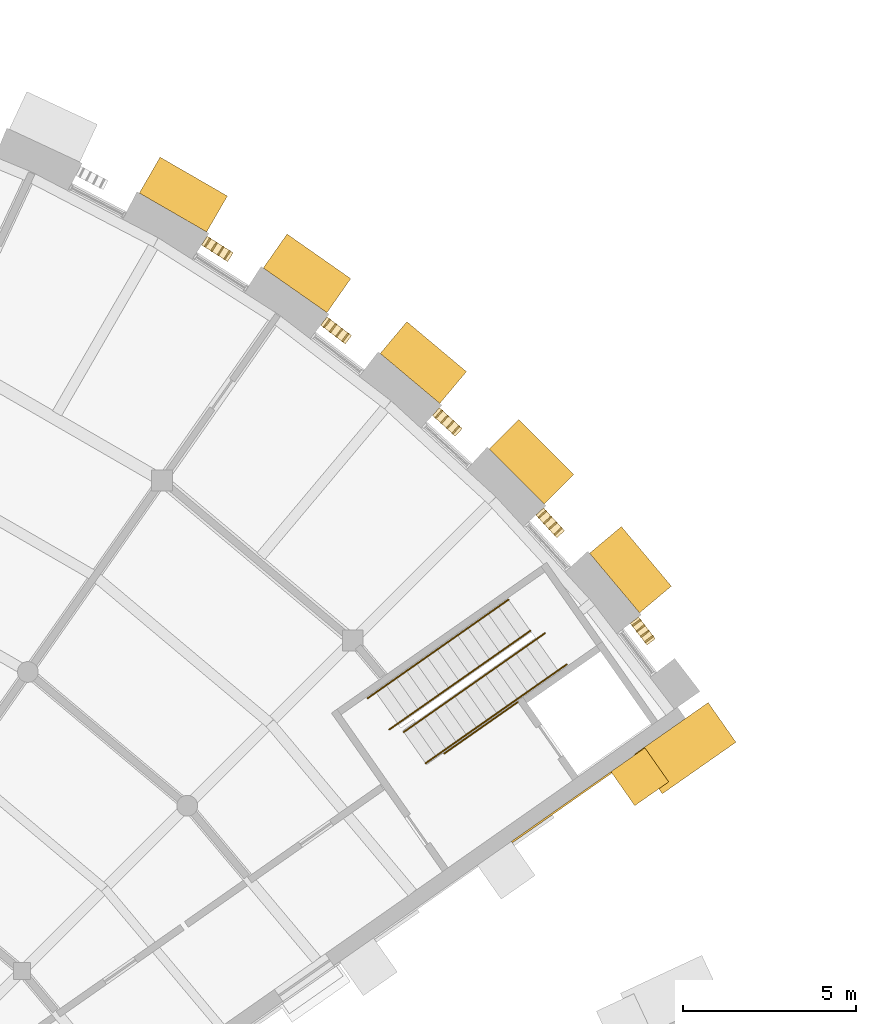
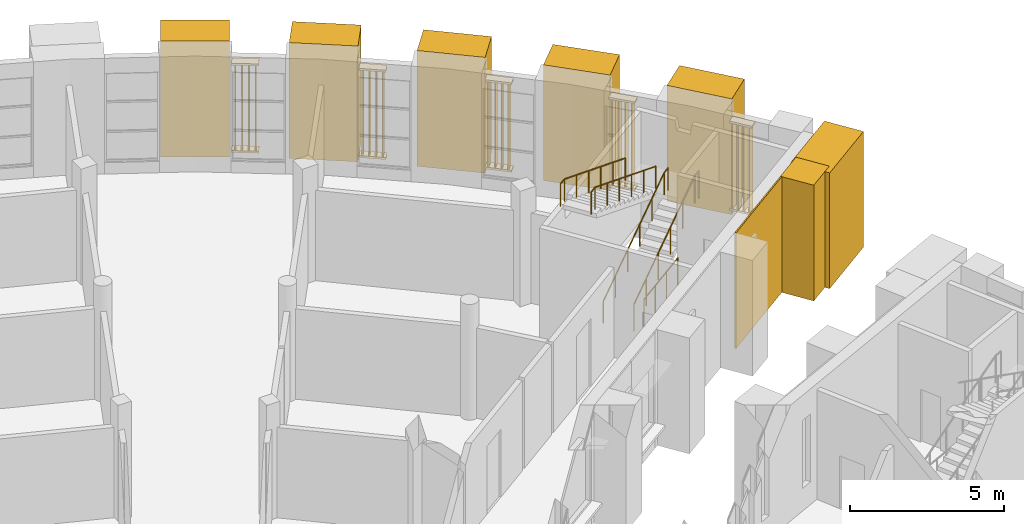
# One storey, part 64 of 66: 38 coverings, 5 railings.
"""IFC4 building model written with IfcOpenShell, lengths in metres."""

from ifc_helpers import new_model, si_unit, direction, frame, origin, origin_2d, place, context, subcontext, project, spatial, polyline, rectangle, circle, outline, extrude, material, layer, layer_set, type_object, element, save


model = new_model("IFC4")

# Units and contexts
model_context = context("Model", 3, precision=1e-05, world=origin(), true_north=direction((0.0, 1.0)))
body_context = subcontext(model_context, "Body", "Model", "MODEL_VIEW")
ifc_project = project(units=[si_unit("LENGTHUNIT", "METRE"), si_unit("AREAUNIT", "SQUARE_METRE"), si_unit("VOLUMEUNIT", "CUBIC_METRE"), si_unit("PLANEANGLEUNIT", "RADIAN"), si_unit("MASSUNIT", "GRAM", prefix="KILO")], contexts=[model_context])

# Site, building, storey
site_placement = place(None, origin())
site = spatial("IfcSite", under=ifc_project, at=site_placement, CompositionType="ELEMENT")
building_placement = place(site_placement, origin())
building = spatial("IfcBuilding", under=site, at=building_placement, Name="Volute Hill Aquarium", CompositionType="ELEMENT")
storey_placement = place(building_placement, frame((0.0, 0.0, 4.60009765625)))
storey = spatial("IfcBuildingStorey", under=building, at=storey_placement, Name="L02", CompositionType="ELEMENT", Elevation=4.60009765625)

# Coverings
ifc_material_1 = material(Name="Precast concrete C40/50", Category="concrete")
covering_type_1 = type_object("IfcCoveringType", Name="End wall precast fin C40/50 1200x1200", PredefinedType="CLADDING", material=ifc_material_1)
covering_1_placement = place(storey_placement, frame((37.498779296875, 25.249755859375, -0.000244140625), z_axis=(0.0, 0.0, 1.0), x_axis=(0.819153286217, 0.573574662691, 0.0)))
element("IfcCovering", 1, at=covering_1_placement, inside=storey, type_object=covering_type_1, Name="End wall fin EWF S5A L02 6", PredefinedType="CLADDING", context=body_context, shape_type="SweptSolid", body=[
    extrude(rectangle(XDim=1.199951171875, YDim=1.199951171875, at=origin_2d()), origin(), (0.0, 0.0, 1.0), 4.60009765625),
])
ifc_material_2 = material(Name="Precast concrete C40/50", Category="concrete")
ifc_layer = layer(ifc_material_2, 0.050048828125)
ifc_layer_set = layer_set([ifc_layer], Name="End wall precast infill panel C40/50 50")
covering_type_2 = type_object("IfcCoveringType", Name="End wall precast infill panel C40/50 50", PredefinedType="CLADDING", material=ifc_layer_set)
covering_2_placement = place(storey_placement, frame((33.811767578125, 23.339599609375, 0.0), z_axis=(0.573560206306, -0.819163408449, 0.0), x_axis=(0.819163408449, 0.573560206306, 0.0)))
element("IfcCovering", 2, at=covering_2_placement, inside=storey, type_object=covering_type_2, Name="End wall panel EWP S5A L02 5", PredefinedType="CLADDING", context=body_context, shape_type="SweptSolid", body=[
    extrude(outline(polyline([(0.0, 0.0), (3.5159370199129762, 0.0), (3.5159370199129762, 4.599853515624999), (0.0, 4.599853515624999), (0.0, 0.0)])), origin(), (0.0, 0.0, -1.0), 0.050048828125),
])

# Railings
ifc_material_3 = material(Name="Stainless steel 1.4301", Category="steel")
railing_type_1 = type_object("IfcRailingType", Name="Guard 1100 stainless", PredefinedType="GUARDRAIL", material=ifc_material_3)
railing_1_placement = place(storey_placement, frame((33.970458984375, 27.412109375, 0.0)))
element("IfcRailing", 3, at=railing_1_placement, inside=storey, type_object=railing_type_1, Name="gd/S5-A/L02/edge", PredefinedType="GUARDRAIL", context=body_context, shape_type="SweptSolid", body=[
    extrude(circle(Radius=0.02392578125, at=origin_2d()), frame((0.0, 0.0, 1.076171875), z_axis=(-0.819148089014, -0.573582085028, 0.0), x_axis=(0.573582085028, -0.819148089014, 0.0)), (0.0, 0.0, 1.0), 2.599853515625),
    extrude(circle(Radius=0.02099609375, at=origin_2d()), origin(), (0.0, 0.0, 1.0), 1.052001953125),
    extrude(circle(Radius=0.02099609375, at=origin_2d()), frame((-0.7099609375, -0.4970703125, 0.0)), (0.0, 0.0, 1.0), 1.052001953125),
    extrude(circle(Radius=0.02099609375, at=origin_2d()), frame((-1.419677734375, -0.994140625, 0.0)), (0.0, 0.0, 1.0), 1.052001953125),
    extrude(circle(Radius=0.02099609375, at=origin_2d()), frame((-2.129638671875, -1.4912109375, 0.0)), (0.0, 0.0, 1.0), 1.052001953125),
])
railing_2_placement = place(storey_placement, frame((31.303466796875, 25.64208984375, 0.164306640625)))
element("IfcRailing", 4, at=railing_2_placement, inside=storey, type_object=railing_type_1, Name="gd/S5-A/L02/1", PredefinedType="GUARDRAIL", context=body_context, shape_type="SweptSolid", body=[
    extrude(circle(Radius=0.02392578125, at=origin_2d()), frame((0.0, 0.0, 1.076171875), z_axis=(0.745205066139, 0.521861858825, 0.415126016655), x_axis=(-0.573623384376, 0.819119168923, 0.0)), (0.0, 0.0, 1.0), 5.144287109375),
    extrude(circle(Radius=0.02392578125, at=origin_2d()), frame((3.83349609375, 2.6845703125, 3.21142578125), z_axis=(0.819575896246, 0.572970636502, 0.0), x_axis=(-0.572970636502, 0.819575896246, 0.0)), (0.0, 0.0, 1.0), 0.300048828125),
    extrude(circle(Radius=0.02099609375, at=origin_2d()), origin(), (0.0, 0.0, 1.0), 1.052001953125),
    extrude(circle(Radius=0.02099609375, at=origin_2d()), frame((0.7666015625, 0.536865234375, 0.427001953125)), (0.0, 0.0, 1.0), 1.052001953125),
    extrude(circle(Radius=0.02099609375, at=origin_2d()), frame((1.533447265625, 1.07373046875, 0.854248046875)), (0.0, 0.0, 1.0), 1.052001953125),
    extrude(circle(Radius=0.02099609375, at=origin_2d()), frame((2.300048828125, 1.61083984375, 1.28125)), (0.0, 0.0, 1.0), 1.052001953125),
    extrude(circle(Radius=0.02099609375, at=origin_2d()), frame((3.06689453125, 2.147705078125, 1.70849609375)), (0.0, 0.0, 1.0), 1.052001953125),
    extrude(circle(Radius=0.02099609375, at=origin_2d()), frame((3.83349609375, 2.6845703125, 2.135498046875)), (0.0, 0.0, 1.0), 1.052001953125),
    extrude(circle(Radius=0.02099609375, at=origin_2d()), frame((4.079345703125, 2.8564453125, 2.135498046875)), (0.0, 0.0, 1.0), 1.052001953125),
])
ifc_material_4 = material(Name="Stainless steel 1.4301", Category="steel")
railing_type_2 = type_object("IfcRailingType", Name="Handrail 48 stainless", PredefinedType="HANDRAIL", material=ifc_material_4)
railing_3_placement = place(storey_placement, frame((30.67236328125, 26.543212890625, 0.164306640625)))
element("IfcRailing", 5, at=railing_3_placement, inside=storey, type_object=railing_type_2, Name="hr/S5-A/L02/2", PredefinedType="HANDRAIL", context=body_context, shape_type="SweptSolid", body=[
    extrude(circle(Radius=0.02392578125, at=origin_2d()), frame((0.0, 0.0, 0.8759765625), z_axis=(0.745244624378, 0.521808867416, 0.415121615579), x_axis=(-0.57356387087, 0.81916084259, 0.0)), (0.0, 0.0, 1.0), 5.144287109375),
    extrude(circle(Radius=0.02392578125, at=origin_2d()), frame((3.833740234375, 2.684326171875, 3.01123046875), z_axis=(0.818925855405, 0.573899332068, 0.0), x_axis=(-0.573899332068, 0.818925855405, 0.0)), (0.0, 0.0, 1.0), 0.2998046875),
    extrude(circle(Radius=0.02099609375, at=origin_2d()), origin(), (0.0, 0.0, 1.0), 0.851806640625),
    extrude(circle(Radius=0.02099609375, at=origin_2d()), frame((0.766845703125, 0.536865234375, 0.427001953125)), (0.0, 0.0, 1.0), 0.851806640625),
    extrude(circle(Radius=0.02099609375, at=origin_2d()), frame((1.533447265625, 1.07373046875, 0.854248046875)), (0.0, 0.0, 1.0), 0.851806640625),
    extrude(circle(Radius=0.02099609375, at=origin_2d()), frame((2.30029296875, 1.610595703125, 1.28125)), (0.0, 0.0, 1.0), 0.851806640625),
    extrude(circle(Radius=0.02099609375, at=origin_2d()), frame((3.06689453125, 2.1474609375, 1.70849609375)), (0.0, 0.0, 1.0), 0.851806640625),
    extrude(circle(Radius=0.02099609375, at=origin_2d()), frame((3.833740234375, 2.684326171875, 2.135498046875)), (0.0, 0.0, 1.0), 0.851806640625),
    extrude(circle(Radius=0.02099609375, at=origin_2d()), frame((4.079345703125, 2.8564453125, 2.135498046875)), (0.0, 0.0, 1.0), 0.851806640625),
])
railing_4_placement = place(storey_placement, frame((34.333984375, 29.473388671875, 2.464111328125)))
element("IfcRailing", 6, at=railing_4_placement, inside=storey, type_object=railing_type_2, Name="hr/S5-A/L02/3", PredefinedType="HANDRAIL", context=body_context, shape_type="SweptSolid", body=[
    extrude(circle(Radius=0.02392578125, at=origin_2d()), frame((0.0, 0.0, 0.8759765625), z_axis=(-0.745208839402, -0.521817041729, 0.415175578085), x_axis=(0.573588381334, -0.819143680192, 0.0)), (0.0, 0.0, 1.0), 5.144287109375),
    extrude(circle(Radius=0.02392578125, at=origin_2d()), frame((-3.83349609375, -2.684326171875, 3.01171875), z_axis=(-0.819193700616, -0.573516940352, 0.0), x_axis=(0.573516940352, -0.819193700616, 0.0)), (0.0, 0.0, 1.0), 0.300048828125),
    extrude(circle(Radius=0.02099609375, at=origin_2d()), origin(), (0.0, 0.0, 1.0), 0.851806640625),
    extrude(circle(Radius=0.02099609375, at=origin_2d()), frame((-0.7666015625, -0.536865234375, 0.42724609375)), (0.0, 0.0, 1.0), 0.851806640625),
    extrude(circle(Radius=0.02099609375, at=origin_2d()), frame((-1.533447265625, -1.07373046875, 0.854248046875)), (0.0, 0.0, 1.0), 0.851806640625),
    extrude(circle(Radius=0.02099609375, at=origin_2d()), frame((-2.300048828125, -1.610595703125, 1.281494140625)), (0.0, 0.0, 1.0), 0.851806640625),
    extrude(circle(Radius=0.02099609375, at=origin_2d()), frame((-3.06689453125, -2.1474609375, 1.70849609375)), (0.0, 0.0, 1.0), 0.851806640625),
    extrude(circle(Radius=0.02099609375, at=origin_2d()), frame((-3.83349609375, -2.684326171875, 2.1357421875)), (0.0, 0.0, 1.0), 0.851806640625),
    extrude(circle(Radius=0.02099609375, at=origin_2d()), frame((-4.079345703125, -2.8564453125, 2.1357421875)), (0.0, 0.0, 1.0), 0.851806640625),
])
railing_5_placement = place(storey_placement, frame((33.703125, 30.37451171875, 2.464111328125)))
element("IfcRailing", 7, at=railing_5_placement, inside=storey, type_object=railing_type_2, Name="hr/S5-A/L02/4", PredefinedType="HANDRAIL", context=body_context, shape_type="SweptSolid", body=[
    extrude(circle(Radius=0.02392578125, at=origin_2d()), frame((0.0, 0.0, 0.8759765625), z_axis=(-0.745229941797, -0.521798586898, 0.415160894787), x_axis=(0.57356387087, -0.81916084259, 0.0)), (0.0, 0.0, 1.0), 5.144287109375),
    extrude(circle(Radius=0.02392578125, at=origin_2d()), frame((-3.833740234375, -2.684326171875, 3.01171875), z_axis=(-0.818925855405, -0.573899332068, 0.0), x_axis=(0.573899332068, -0.818925855405, 0.0)), (0.0, 0.0, 1.0), 0.2998046875),
    extrude(circle(Radius=0.02099609375, at=origin_2d()), origin(), (0.0, 0.0, 1.0), 0.851806640625),
    extrude(circle(Radius=0.02099609375, at=origin_2d()), frame((-0.766845703125, -0.536865234375, 0.42724609375)), (0.0, 0.0, 1.0), 0.851806640625),
    extrude(circle(Radius=0.02099609375, at=origin_2d()), frame((-1.533447265625, -1.07373046875, 0.854248046875)), (0.0, 0.0, 1.0), 0.851806640625),
    extrude(circle(Radius=0.02099609375, at=origin_2d()), frame((-2.30029296875, -1.610595703125, 1.281494140625)), (0.0, 0.0, 1.0), 0.851806640625),
    extrude(circle(Radius=0.02099609375, at=origin_2d()), frame((-3.06689453125, -2.1474609375, 1.70849609375)), (0.0, 0.0, 1.0), 0.851806640625),
    extrude(circle(Radius=0.02099609375, at=origin_2d()), frame((-3.833740234375, -2.684326171875, 2.1357421875)), (0.0, 0.0, 1.0), 0.851806640625),
    extrude(circle(Radius=0.02099609375, at=origin_2d()), frame((-4.079345703125, -2.8564453125, 2.1357421875)), (0.0, 0.0, 1.0), 0.851806640625),
])

# Coverings
ifc_material_5 = material(Name="Aluminium", Category="aluminium")
covering_type_3 = type_object("IfcCoveringType", Name="Plant louvre slat 40x300", PredefinedType="CLADDING", material=ifc_material_5)
for number, where, z_axis, x_axis, name in (
    (8, (37.76513671875, 29.229248046875, 0.52978515625), (0.0, 0.0, 1.0), (-0.608752522404, 0.79336017449, 0.0), "Plant louvre slat S5 L02 1.1.1"),
    (9, (37.64453125, 29.386474609375, 0.52978515625), (0.0, 0.0, 1.0), (-0.608752522404, 0.79336017449, 0.0), "Plant louvre slat S5 L02 1.1.2"),
    (10, (37.523681640625, 29.543701171875, 0.52978515625), (0.0, 0.0, 1.0), (-0.608752522404, 0.79336017449, 0.0), "Plant louvre slat S5 L02 1.1.3"),
    (11, (37.403076171875, 29.700927734375, 0.52978515625), (0.0, 0.0, 1.0), (-0.608752522404, 0.79336017449, 0.0), "Plant louvre slat S5 L02 1.1.4"),
    (12, (35.133056640625, 32.344970703125, 0.52978515625), (0.0, 0.0, 1.0), (-0.675585034027, 0.737282077497, 0.0), "Plant louvre slat S5 L02 2.1.1"),
    (13, (34.982177734375, 32.509521484375, 0.52978515625), (0.0, 0.0, 1.0), (-0.675585034027, 0.737282077497, 0.0), "Plant louvre slat S5 L02 2.1.2"),
    (14, (34.83154296875, 32.674072265625, 0.52978515625), (0.0, 0.0, 1.0), (-0.675585034027, 0.737282077497, 0.0), "Plant louvre slat S5 L02 2.1.3"),
    (15, (34.6806640625, 32.838623046875, 0.52978515625), (0.0, 0.0, 1.0), (-0.675585034027, 0.737282077497, 0.0), "Plant louvre slat S5 L02 2.1.4"),
    (16, (32.180419921875, 35.283935546875, 0.52978515625), (0.0, 0.0, 1.0), (-0.737282077497, 0.675585034027, 0.0), "Plant louvre slat S5 L02 3.1.1"),
    (17, (32.015625, 35.4345703125, 0.52978515625), (0.0, 0.0, 1.0), (-0.737282077497, 0.675585034027, 0.0), "Plant louvre slat S5 L02 3.1.2"),
    (18, (31.85107421875, 35.58544921875, 0.52978515625), (0.0, 0.0, 1.0), (-0.737282077497, 0.675585034027, 0.0), "Plant louvre slat S5 L02 3.1.3"),
    (19, (31.6865234375, 35.736328125, 0.52978515625), (0.0, 0.0, 1.0), (-0.737282077497, 0.675585034027, 0.0), "Plant louvre slat S5 L02 3.1.4"),
    (20, (28.982666015625, 37.954345703125, 0.52978515625), (0.0, 0.0, 1.0), (-0.79336017449, 0.608752522404, 0.0), "Plant louvre slat S5 L02 4.1.1"),
    (21, (28.8056640625, 38.090087890625, 0.52978515625), (0.0, 0.0, 1.0), (-0.79336017449, 0.608752522404, 0.0), "Plant louvre slat S5 L02 4.1.2"),
    (22, (28.62841796875, 38.22607421875, 0.52978515625), (0.0, 0.0, 1.0), (-0.79336017449, 0.608752522404, 0.0), "Plant louvre slat S5 L02 4.1.3"),
    (23, (28.451416015625, 38.36181640625, 0.52978515625), (0.0, 0.0, 1.0), (-0.79336017449, 0.608752522404, 0.0), "Plant louvre slat S5 L02 4.1.4"),
    (24, (25.564453125, 40.3359375, 0.52978515625), (0.0, 0.0, 1.0), (-0.843385713059, 0.537308606862, 0.0), "Plant louvre slat S5 L02 5.1.1"),
    (25, (25.376220703125, 40.455810546875, 0.52978515625), (0.0, 0.0, 1.0), (-0.843385713059, 0.537308606862, 0.0), "Plant louvre slat S5 L02 5.1.2"),
    (26, (25.18798828125, 40.57568359375, 0.52978515625), (0.0, 0.0, 1.0), (-0.843385713059, 0.537308606862, 0.0), "Plant louvre slat S5 L02 5.1.3"),
    (27, (24.999755859375, 40.695556640625, 0.52978515625), (0.0, 0.0, 1.0), (-0.843385713059, 0.537308606862, 0.0), "Plant louvre slat S5 L02 5.1.4"),
):
    element("IfcCovering", number, at=place(storey_placement, frame(where, z_axis=z_axis, x_axis=x_axis)), inside=storey, type_object=covering_type_3, Name=name, PredefinedType="CLADDING", context=body_context, shape_type="SweptSolid", body=[
        extrude(rectangle(XDim=0.0400390625, YDim=0.300048828125, at=origin_2d()), origin(), (0.0, 0.0, 1.0), 3.389892578125),
    ])
ifc_material_6 = material(Name="Aluminium", Category="aluminium")
covering_type_4 = type_object("IfcCoveringType", Name="Plant louvre slat rail 300x80", PredefinedType="CLADDING", material=ifc_material_6)
for number, where, z_axis, x_axis, name in (
    (28, (37.583984375, 29.465087890625, 0.449951171875), (0.0, 0.0, 1.0), (-0.608752522404, 0.79336017449, 0.0), "Plant louvre slat rail S5 L02 1.1"),
    (29, (37.583984375, 29.465087890625, 3.919921875), (0.0, 0.0, 1.0), (-0.608752522404, 0.79336017449, 0.0), "Plant louvre slat rail S5 L02 1.2"),
):
    element("IfcCovering", number, at=place(storey_placement, frame(where, z_axis=z_axis, x_axis=x_axis)), inside=storey, type_object=covering_type_4, Name=name, PredefinedType="CLADDING", context=body_context, shape_type="SweptSolid", body=[
        extrude(rectangle(XDim=0.792724609375, YDim=0.300048828125, at=origin_2d()), origin(), (0.0, 0.0, 1.0), 0.080078125),
    ])
for number, where, z_axis, x_axis, name in (
    (30, (34.90673828125, 32.591796875, 0.449951171875), (0.0, 0.0, 1.0), (-0.675585034027, 0.737282077497, 0.0), "Plant louvre slat rail S5 L02 2.1"),
    (31, (34.90673828125, 32.591796875, 3.919921875), (0.0, 0.0, 1.0), (-0.675585034027, 0.737282077497, 0.0), "Plant louvre slat rail S5 L02 2.2"),
    (32, (31.933349609375, 35.510009765625, 0.449951171875), (0.0, 0.0, 1.0), (-0.737282077497, 0.675585034027, 0.0), "Plant louvre slat rail S5 L02 3.1"),
    (33, (31.933349609375, 35.510009765625, 3.919921875), (0.0, 0.0, 1.0), (-0.737282077497, 0.675585034027, 0.0), "Plant louvre slat rail S5 L02 3.2"),
    (34, (28.717041015625, 38.157958984375, 0.449951171875), (0.0, 0.0, 1.0), (-0.79336017449, 0.608752522404, 0.0), "Plant louvre slat rail S5 L02 4.1"),
    (35, (28.717041015625, 38.157958984375, 3.919921875), (0.0, 0.0, 1.0), (-0.79336017449, 0.608752522404, 0.0), "Plant louvre slat rail S5 L02 4.2"),
    (36, (25.281982421875, 40.515869140625, 0.449951171875), (0.0, 0.0, 1.0), (-0.843385713059, 0.537308606862, 0.0), "Plant louvre slat rail S5 L02 5.1"),
    (37, (25.281982421875, 40.515869140625, 3.919921875), (0.0, 0.0, 1.0), (-0.843385713059, 0.537308606862, 0.0), "Plant louvre slat rail S5 L02 5.2"),
):
    element("IfcCovering", number, at=place(storey_placement, frame(where, z_axis=z_axis, x_axis=x_axis)), inside=storey, type_object=covering_type_4, Name=name, PredefinedType="CLADDING", context=body_context, shape_type="SweptSolid", body=[
        extrude(rectangle(XDim=0.892822265625, YDim=0.300048828125, at=origin_2d()), origin(), (0.0, 0.0, 1.0), 0.080078125),
    ])
ifc_material_7 = material(Name="Precast concrete C40/50", Category="concrete")
covering_type_5 = type_object("IfcCoveringType", Name="Projecting pier precast concrete C40/50 2249x1200", PredefinedType="CLADDING", material=ifc_material_7)
for number, where, z_axis, x_axis, name in (
    (38, (37.228271484375, 31.238037109375, -0.000244140625), (0.0, 0.0, 1.0), (-0.642787609687, 0.766044443119, 0.0), "Projecting pier PP S5 L02 1"),
    (39, (34.364013671875, 34.364013671875, -0.000244140625), (0.0, 0.0, 1.0), (-0.707106781187, 0.707106781187, 0.0), "Projecting pier PP S5 L02 2"),
    (40, (31.23828125, 37.228271484375, -0.000244140625), (0.0, 0.0, 1.0), (-0.766044443119, 0.642787609687, 0.0), "Projecting pier PP S5 L02 3"),
    (41, (27.87451171875, 39.80908203125, -0.000244140625), (0.0, 0.0, 1.0), (-0.819152044289, 0.573576436351, 0.0), "Projecting pier PP S5 L02 4"),
    (42, (24.299072265625, 42.0869140625, -0.000244140625), (0.0, 0.0, 1.0), (-0.866025403784, 0.5, 0.0), "Projecting pier PP S5 L02 5"),
):
    element("IfcCovering", number, at=place(storey_placement, frame(where, z_axis=z_axis, x_axis=x_axis)), inside=storey, type_object=covering_type_5, Name=name, PredefinedType="CLADDING", context=body_context, shape_type="SweptSolid", body=[
        extrude(rectangle(XDim=2.24853515625, YDim=1.199951171875, at=origin_2d()), origin(), (0.0, 0.0, 1.0), 4.60009765625),
    ])
ifc_material_8 = material(Name="Precast concrete C40/50", Category="concrete")
covering_type_6 = type_object("IfcCoveringType", Name="Step pylon precast concrete C40/50 1400x2600", PredefinedType="CLADDING", material=ifc_material_8)
covering_3_placement = place(storey_placement, frame((38.8115234375, 26.077392578125, -0.000244140625), z_axis=(0.0, 0.0, 1.0), x_axis=(0.819152044289, 0.573576436351, 0.0)))
element("IfcCovering", 43, at=covering_3_placement, inside=storey, type_object=covering_type_6, Name="Step pylon SPY S5A L02", PredefinedType="CLADDING", context=body_context, shape_type="SweptSolid", body=[
    extrude(rectangle(XDim=2.60009765625, YDim=1.39990234375, at=origin_2d()), origin(), (0.0, 0.0, 1.0), 4.60009765625),
])

save(model, "model.ifc")
